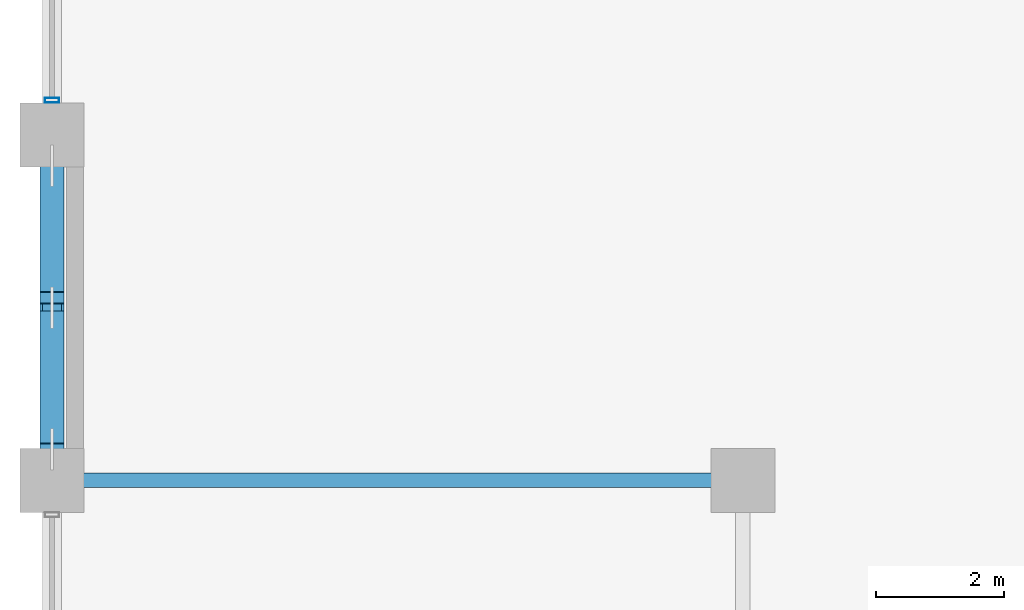
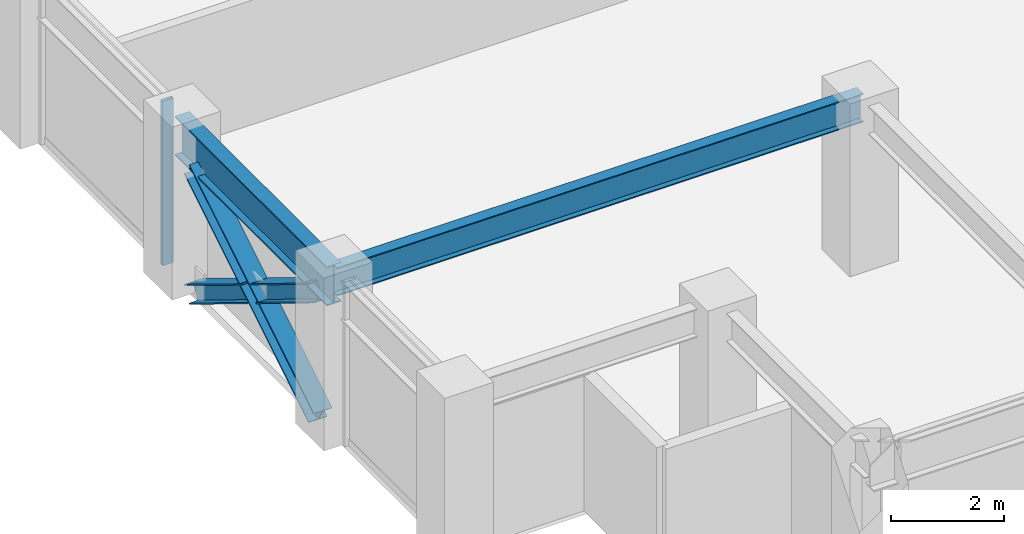
# One storey, part 3 of 23: 4 members, 2 beams, 1 element without a shape of its own.
"""IFC4 building model written with IfcOpenShell, lengths in metres."""

from ifc_helpers import new_model, si_unit, direction, frame, origin, origin_2d, place, context, subcontext, project, spatial, hollow_rectangle, i_section, extrude, material, layer, layer_set, material_profile, profile_set, type_object, element, aggregate, save


model = new_model("IFC4")

# Units and contexts
model_context = context("Model", 3, precision=1e-05, world=origin(), true_north=direction((0.0, 1.0)))
body_context = subcontext(model_context, "Body", "Model", "MODEL_VIEW")
ifc_project = project(units=[si_unit("LENGTHUNIT", "METRE"), si_unit("AREAUNIT", "SQUARE_METRE"), si_unit("VOLUMEUNIT", "CUBIC_METRE"), si_unit("PLANEANGLEUNIT", "RADIAN"), si_unit("MASSUNIT", "GRAM", prefix="KILO")], contexts=[model_context])

# Site, building, storey
site_placement = place(None, origin())
site = spatial("IfcSite", under=ifc_project, at=site_placement, CompositionType="ELEMENT")
building_placement = place(site_placement, origin())
building = spatial("IfcBuilding", under=site, at=building_placement, Name="Surkhivell Harbour Commons", CompositionType="ELEMENT")
storey_placement = place(building_placement, frame((0.0, 0.0, 135.75)))
storey = spatial("IfcBuildingStorey", under=building, at=storey_placement, Name="L35", CompositionType="ELEMENT", Elevation=135.75)

# Beams
ifc_material_1 = material(Name="Steel S355", Category="steel")
ifc_material_profile_1 = material_profile(ifc_material_1, i_section(OverallWidth=0.22998046875, OverallDepth=0.616943359375, WebThickness=0.01318359375, FlangeThickness=0.022216796875, at=origin_2d()), Name="UB610x229x140")
ifc_profile_set_1 = profile_set([ifc_material_profile_1], Name="Steel S355")
beam_type_1 = type_object("IfcBeamType", Name="BM-GRD-610B", PredefinedType="BEAM", material=ifc_profile_set_1)
beam_1_placement = place(storey_placement, frame((-32.39990234375, -16.199951171875, 3.261474609375), z_axis=(1.0, 0.0, 0.0), x_axis=(0.0, 1.0, 0.0)))
element("IfcBeam", 1, at=beam_1_placement, inside=storey, type_object=beam_type_1, Name="L35 Floor Girder (-32.4,-16.2)", PredefinedType="BEAM", context=body_context, shape_type="SweptSolid", body=[
    extrude(i_section(OverallWidth=0.22998046875, OverallDepth=0.616943359375, WebThickness=0.01318359375, FlangeThickness=0.022216796875, at=origin_2d()), origin(), (0.0, 0.0, 1.0), 10.7998046875),
])
ifc_material_2 = material(Name="Steel S460", Category="steel")
ifc_material_profile_2 = material_profile(ifc_material_2, i_section(OverallWidth=0.2939453125, OverallDepth=0.85107421875, WebThickness=0.01611328125, FlangeThickness=0.02685546875, at=origin_2d()), Name="UB838x292x226")
ifc_profile_set_2 = profile_set([ifc_material_profile_2], Name="Steel S460")
beam_type_2 = type_object("IfcBeamType", Name="BM-SPN-838", PredefinedType="SPANDREL", material=ifc_profile_set_2)
beam_2_placement = place(storey_placement, frame((-32.39990234375, -16.199951171875, 3.14453125), z_axis=(0.0, 1.0, 0.0), x_axis=(-1.0, 0.0, 0.0)))
element("IfcBeam", 2, at=beam_2_placement, inside=storey, type_object=beam_type_2, Name="L35 Tube Spandrel (-32.4,-16.2)", PredefinedType="SPANDREL", context=body_context, shape_type="SweptSolid", body=[
    extrude(i_section(OverallWidth=0.2939453125, OverallDepth=0.85107421875, WebThickness=0.01611328125, FlangeThickness=0.02685546875, at=origin_2d()), origin(), (0.0, 0.0, 1.0), 5.39990234375),
])

# Curtain wall, member
ifc_material_3 = material(Name="Anodised pale-metal aluminium and insulated glazing", Category="aluminium")
ifc_layer = layer(ifc_material_3, 0.205078125)
ifc_layer_set = layer_set([ifc_layer], Name="Anodised pale-metal aluminium and insulated glazing")
curtain_wall_type = type_object("IfcCurtainWallType", Name="CW-SYS-Z2", PredefinedType="NOTDEFINED", material=ifc_layer_set)
curtain_wall_placement = place(storey_placement, origin())
curtain_wall = element("IfcCurtainWall", 3, at=curtain_wall_placement, inside=storey, type_object=curtain_wall_type, Name="L35 Curtain Wall CW-L35-E12S1", PredefinedType="NOTDEFINED")
ifc_material_4 = material(Name="Anodised pale-metal aluminium alloy 6063-T6", Category="aluminium")
ifc_material_profile_3 = material_profile(ifc_material_4, hollow_rectangle(XDim=0.074951171875, YDim=0.219970703125, WallThickness=0.00390625, at=origin_2d()), Name="ALU-MULL-75x220")
ifc_profile_set_3 = profile_set([ifc_material_profile_3], Name="Anodised pale-metal aluminium alloy 6063-T6")
member_type_1 = type_object("IfcMemberType", Name="CWM-220", PredefinedType="MULLION", material=ifc_profile_set_3)
member_1_placement = place(storey_placement, frame((-32.39990234375, -10.260498046875, 0.0), z_axis=(0.0, 0.0, 1.0), x_axis=(0.0, -1.0, 0.0)))
member_1 = element("IfcMember", 4, at=member_1_placement, type_object=member_type_1, Name="CW-Z2 mullion 7", PredefinedType="MULLION", context=body_context, shape_type="SweptSolid", body=[
    extrude(hollow_rectangle(XDim=0.074951171875, YDim=0.219970703125, WallThickness=0.00390625, at=origin_2d()), origin(), (0.0, 0.0, 1.0), 3.570068359375),
])
aggregate(curtain_wall, [member_1])

# Members
ifc_material_profile_4 = material_profile(ifc_material_2, i_section(OverallWidth=0.375, OverallDepth=0.375, WebThickness=0.0166015625, FlangeThickness=0.027099609375, at=origin_2d()), Name="UC356x368x202")
ifc_profile_set_4 = profile_set([ifc_material_profile_4], Name="Steel S460")
member_type_2 = type_object("IfcMemberType", Name="MEM-BRC-UC356", PredefinedType="BRACE", material=ifc_profile_set_4)
member_2_placement = place(storey_placement, frame((-32.39990234375, -15.715087890625, 0.008056640625), z_axis=(0.0, 0.852637717293, 0.522502557936), x_axis=(-1.0, 0.0, 0.0)))
element("IfcMember", 5, at=member_2_placement, inside=storey, type_object=member_type_2, Name="L35 Perimeter Mega-Brace MB- 10", PredefinedType="BRACE", context=body_context, shape_type="SweptSolid", body=[
    extrude(i_section(OverallWidth=0.375, OverallDepth=0.375, WebThickness=0.0166015625, FlangeThickness=0.027099609375, at=origin_2d()), origin(), (0.0, 0.0, 1.0), 5.19580078125),
])
member_3_placement = place(storey_placement, frame((-32.39990234375, -11.284912109375, 0.008056640625), z_axis=(0.0, -0.852617215241, 0.52253601242), x_axis=(1.0, 0.0, 0.0)))
element("IfcMember", 6, at=member_3_placement, inside=storey, type_object=member_type_2, Name="L35 Perimeter Mega-Brace MB- 11", PredefinedType="BRACE", context=body_context, shape_type="SweptSolid", body=[
    extrude(i_section(OverallWidth=0.375, OverallDepth=0.375, WebThickness=0.0166015625, FlangeThickness=0.027099609375, at=origin_2d()), origin(), (0.0, 0.0, 1.0), 2.41796875),
])
member_4_placement = place(storey_placement, frame((-32.39990234375, -13.653564453125, 1.459716796875), z_axis=(0.0, -0.852662200332, 0.522462603567), x_axis=(1.0, 0.0, 0.0)))
element("IfcMember", 7, at=member_4_placement, inside=storey, type_object=member_type_2, Name="L35 Perimeter Mega-Brace MB- 12", PredefinedType="BRACE", context=body_context, shape_type="SweptSolid", body=[
    extrude(i_section(OverallWidth=0.375, OverallDepth=0.375, WebThickness=0.0166015625, FlangeThickness=0.027099609375, at=origin_2d()), origin(), (0.0, 0.0, 1.0), 2.417724609375),
])

save(model, "model.ifc")
